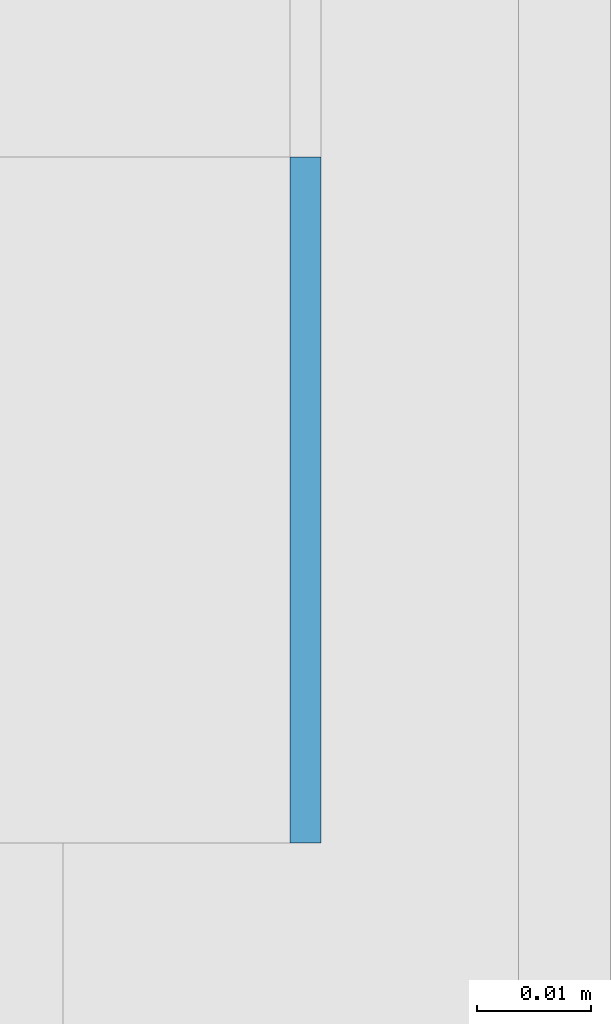
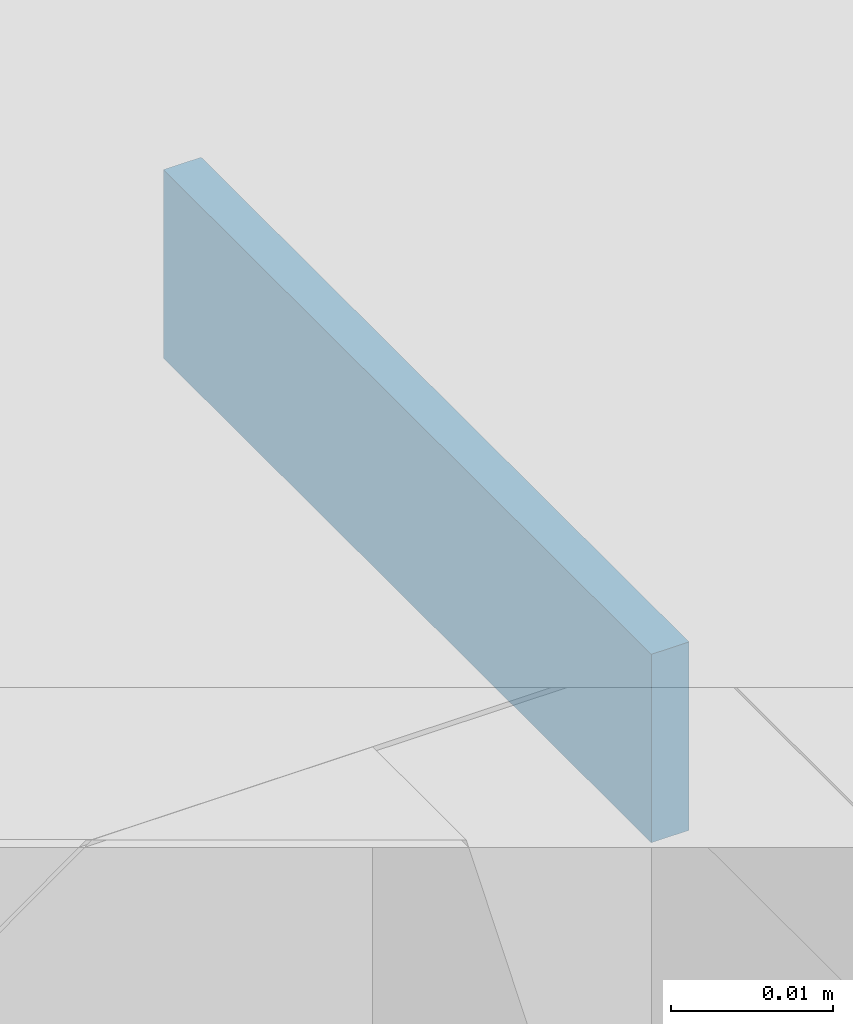
# One storey, part 363 of 646: 1 discrete accessory.
"""IFC4 building model written with IfcOpenShell, lengths in metres."""

from ifc_helpers import new_model, si_unit, direction, frame, origin, origin_2d, place, context, subcontext, project, spatial, rectangle, extrude, material, type_object, element, save


model = new_model("IFC4")

# Units and contexts
model_context = context("Model", 3, precision=1e-05, world=origin(), true_north=direction((0.0, 1.0)))
body_context = subcontext(model_context, "Body", "Model", "MODEL_VIEW")
ifc_project = project(units=[si_unit("LENGTHUNIT", "METRE"), si_unit("AREAUNIT", "SQUARE_METRE"), si_unit("VOLUMEUNIT", "CUBIC_METRE"), si_unit("PLANEANGLEUNIT", "RADIAN"), si_unit("MASSUNIT", "GRAM", prefix="KILO")], contexts=[model_context])

# Site, building, storey
site_placement = place(None, origin())
site = spatial("IfcSite", under=ifc_project, at=site_placement, CompositionType="ELEMENT")
building_placement = place(site_placement, origin())
building = spatial("IfcBuilding", under=site, at=building_placement, Name="Silverbay Arena", CompositionType="ELEMENT")
storey_placement = place(building_placement, frame((0.0, 0.0, 33.5)))
storey = spatial("IfcBuildingStorey", under=building, at=storey_placement, Name="L05", CompositionType="ELEMENT", Elevation=33.5)

# Discrete accessory
ifc_material = material(Name="Steel S355", Category="steel")
discrete_accessory_type = type_object("IfcDiscreteAccessoryType", Name="Steel bracket plate", PredefinedType="BRACKET", material=ifc_material)
discrete_accessory_placement = place(storey_placement, frame((53.871337890625, 98.969970703125, 12.98583984375), z_axis=(0.0, 0.0, 1.0), x_axis=(1.0, 0.0, 0.0)))
element("IfcDiscreteAccessory", 1, at=discrete_accessory_placement, inside=storey, type_object=discrete_accessory_type, Name="Curtain wall packing plate", PredefinedType="BRACKET", context=body_context, shape_type="SweptSolid", body=[
    extrude(rectangle(XDim=0.002685546875, YDim=0.06005859375, at=origin_2d()), origin(), (0.0, 0.0, 1.0), 0.01416015625),
])

save(model, "model.ifc")
